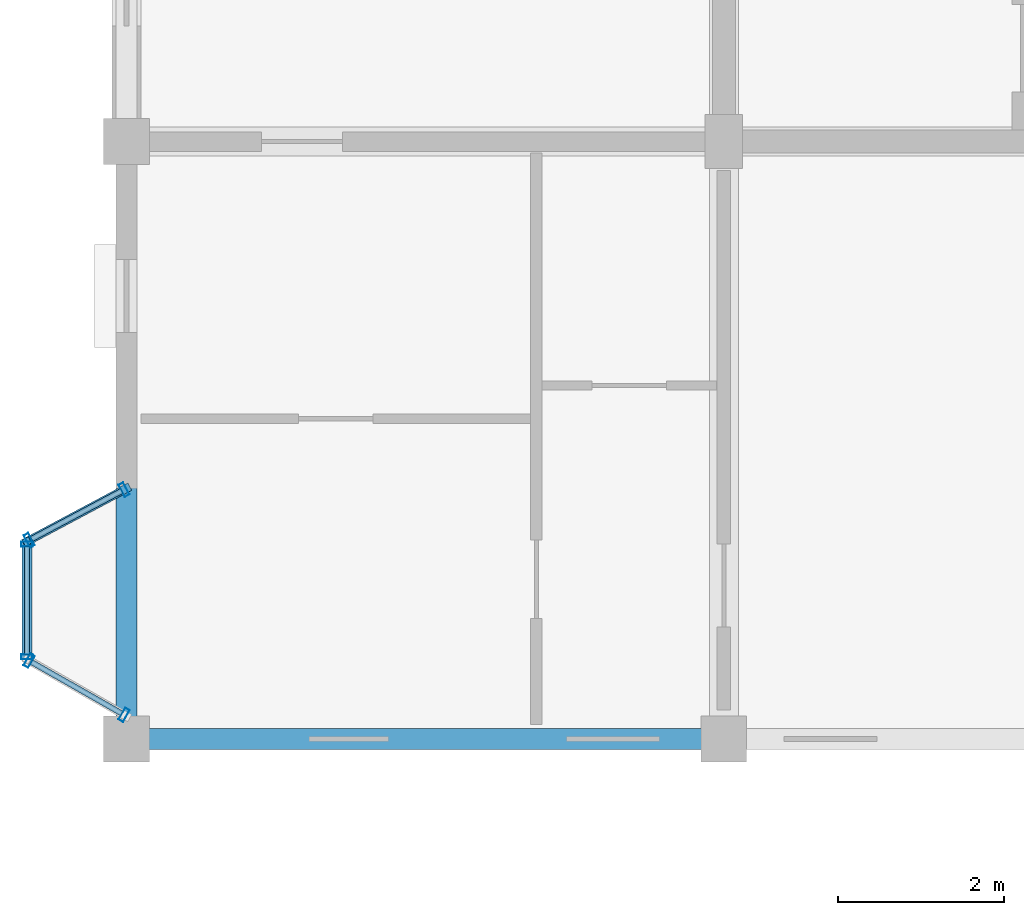
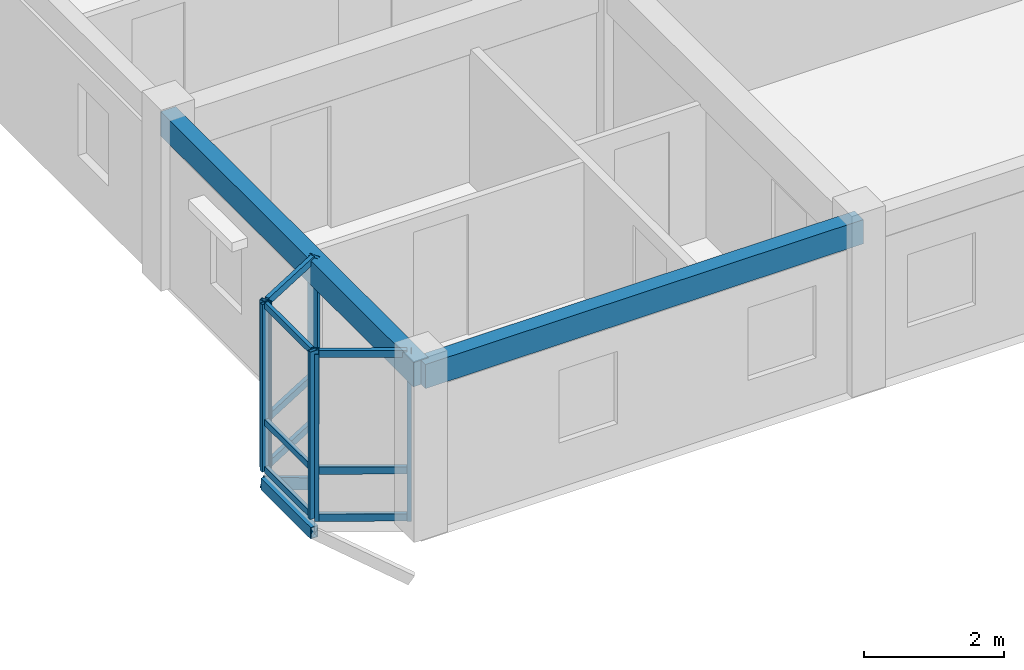
# One storey, part 13 of 77: 17 members, 2 beams, 3 elements without a shape of their own.
"""IFC4 building model written with IfcOpenShell, lengths in metres."""

from ifc_helpers import new_model, si_unit, direction, frame, origin, origin_2d, place, context, subcontext, project, spatial, rectangle, hollow_rectangle, extrude, material, layer, layer_set, material_profile, profile_set, type_object, element, aggregate, save


model = new_model("IFC4")

# Units and contexts
model_context = context("Model", 3, precision=1e-05, world=origin(), true_north=direction((0.0, 1.0)))
body_context = subcontext(model_context, "Body", "Model", "MODEL_VIEW")
ifc_project = project(units=[si_unit("LENGTHUNIT", "METRE"), si_unit("AREAUNIT", "SQUARE_METRE"), si_unit("VOLUMEUNIT", "CUBIC_METRE"), si_unit("PLANEANGLEUNIT", "RADIAN"), si_unit("MASSUNIT", "GRAM", prefix="KILO"), si_unit("THERMODYNAMICTEMPERATUREUNIT", "KELVIN"), si_unit("POWERUNIT", "WATT")], contexts=[model_context])

# Site, building, storey
site_placement = place(None, origin())
site = spatial("IfcSite", under=ifc_project, at=site_placement, CompositionType="ELEMENT")
building_placement = place(site_placement, origin())
building = spatial("IfcBuilding", under=site, at=building_placement, Name="Tavuni Mirador Residences", CompositionType="ELEMENT")
storey_placement = place(building_placement, frame((0.0, 0.0, 17.10009765625)))
storey = spatial("IfcBuildingStorey", under=building, at=storey_placement, Name="L05", CompositionType="ELEMENT", Elevation=17.10009765625)

# Beams
ifc_material_1 = material(Name="Precast concrete C40/50", Category="concrete")
ifc_material_profile_1 = material_profile(ifc_material_1, rectangle(XDim=0.25, YDim=0.419921875, at=origin_2d()), Name="PC 250x420", Category="concrete")
ifc_profile_set_1 = profile_set([ifc_material_profile_1], Name="Precast concrete C40/50")
beam_type = type_object("IfcBeamType", Name="BT-SP420", PredefinedType="SPANDREL", material=ifc_profile_set_1)
for number, where, z_axis, x_axis, name in (
    (1, (3.60009765625, 64.800048828125, 2.699951171875), (1.0, 0.0, 0.0), (0.0, 1.0, 0.0), "BMX-BLK-B-L05-00-00"),
    (2, (3.60009765625, 64.800048828125, 2.699951171875), (0.0, 1.0, 0.0), (-1.0, 0.0, 0.0), "BMY-BLK-B-L05-00-00"),
):
    element("IfcBeam", number, at=place(storey_placement, frame(where, z_axis=z_axis, x_axis=x_axis)), inside=storey, type_object=beam_type, Name=name, PredefinedType="SPANDREL", context=body_context, shape_type="SweptSolid", body=[
        extrude(rectangle(XDim=0.25, YDim=0.419921875, at=origin_2d()), origin(), (0.0, 0.0, 1.0), 7.199951171875),
    ])

# Curtain wall, members
ifc_material_2 = material(Name="Anodised aluminium", Category="aluminium")
ifc_layer_1 = layer(ifc_material_2, 0.175048828125, Name="Anodised aluminium", Category="aluminium")
ifc_layer_set_1 = layer_set([ifc_layer_1], Name="Anodised aluminium")
curtain_wall_type_1 = type_object("IfcCurtainWallType", Name="CWT-MIR-C", PredefinedType="NOTDEFINED", material=ifc_layer_set_1)
curtain_wall_1_placement = place(storey_placement, origin())
curtain_wall_1 = element("IfcCurtainWall", 3, at=curtain_wall_1_placement, inside=storey, type_object=curtain_wall_type_1, Name="CW-MIR-B-W1-L05-MF", PredefinedType="NOTDEFINED")
ifc_material_profile_2 = material_profile(ifc_material_2, hollow_rectangle(XDim=0.06005859375, YDim=0.139892578125, WallThickness=0.00390625, at=origin_2d()), Name="ALU 60x140x4.0", Category="aluminium")
ifc_profile_set_2 = profile_set([ifc_material_profile_2], Name="Anodised aluminium")
member_type_1 = type_object("IfcMemberType", Name="CWM-140", PredefinedType="MULLION", material=ifc_profile_set_2)
member_1_placement = place(storey_placement, frame((2.39990234375, 67.14990234375, 0.0), z_axis=(0.0, 0.0, 1.0), x_axis=(0.0, -1.0, 0.0)))
member_1 = element("IfcMember", 4, at=member_1_placement, type_object=member_type_1, Name="CW-03 mullion 1", PredefinedType="MULLION", context=body_context, shape_type="SweptSolid", body=[
    extrude(hollow_rectangle(XDim=0.06005859375, YDim=0.139892578125, WallThickness=0.00390625, at=origin_2d()), origin(), (0.0, 0.0, 1.0), 2.909912109375),
])
member_2_placement = place(storey_placement, frame((2.39990234375, 65.7900390625, 0.0), z_axis=(0.0, 0.0, 1.0), x_axis=(0.0, -1.0, 0.0)))
member_2 = element("IfcMember", 5, at=member_2_placement, type_object=member_type_1, Name="CW-03 mullion 2", PredefinedType="MULLION", context=body_context, shape_type="SweptSolid", body=[
    extrude(hollow_rectangle(XDim=0.06005859375, YDim=0.139892578125, WallThickness=0.00390625, at=origin_2d()), origin(), (0.0, 0.0, 1.0), 2.909912109375),
])

ifc_layer_2 = layer(ifc_material_2, 0.14990234375, Name="Anodised aluminium", Category="aluminium")
ifc_layer_set_2 = layer_set([ifc_layer_2], Name="Anodised aluminium")
curtain_wall_type_2 = type_object("IfcCurtainWallType", Name="CWT-MIR-B", PredefinedType="NOTDEFINED", material=ifc_layer_set_2)
curtain_wall_2_placement = place(storey_placement, origin())
curtain_wall_2 = element("IfcCurtainWall", 6, at=curtain_wall_2_placement, inside=storey, type_object=curtain_wall_type_2, Name="CW-MIR-B-W1-L05-M1", PredefinedType="NOTDEFINED")
ifc_material_profile_3 = material_profile(ifc_material_2, hollow_rectangle(XDim=0.06494140625, YDim=0.1650390625, WallThickness=0.00439453125, at=origin_2d()), Name="ALU 65x165x4.5", Category="aluminium")
ifc_profile_set_3 = profile_set([ifc_material_profile_3], Name="Anodised aluminium")
member_type_2 = type_object("IfcMemberType", Name="CWM-165", PredefinedType="MULLION", material=ifc_profile_set_3)
member_3_placement = place(storey_placement, frame((3.5712890625, 67.8046875, 0.0), z_axis=(0.0, 0.0, 1.0), x_axis=(-0.882352941175, -0.470588235296, 0.0)))
member_3 = element("IfcMember", 7, at=member_3_placement, type_object=member_type_2, Name="CW-02 mullion 1", PredefinedType="MULLION", context=body_context, shape_type="SweptSolid", body=[
    extrude(hollow_rectangle(XDim=0.06494140625, YDim=0.1650390625, WallThickness=0.00439453125, at=origin_2d()), origin(), (0.0, 0.0, 1.0), 2.909912109375),
])
member_4_placement = place(storey_placement, frame((2.4287109375, 67.1953125, 0.0), z_axis=(0.0, 0.0, 1.0), x_axis=(-0.882352941175, -0.470588235296, 0.0)))
member_4 = element("IfcMember", 8, at=member_4_placement, type_object=member_type_2, Name="CW-02 mullion 2", PredefinedType="MULLION", context=body_context, shape_type="SweptSolid", body=[
    extrude(hollow_rectangle(XDim=0.06494140625, YDim=0.1650390625, WallThickness=0.00439453125, at=origin_2d()), origin(), (0.0, 0.0, 1.0), 2.909912109375),
])

ifc_layer_3 = layer(ifc_material_2, 0.159912109375, Name="Anodised aluminium", Category="aluminium")
ifc_layer_set_3 = layer_set([ifc_layer_3], Name="Anodised aluminium")
curtain_wall_type_3 = type_object("IfcCurtainWallType", Name="CWT-MIR-D", PredefinedType="NOTDEFINED", material=ifc_layer_set_3)
curtain_wall_3_placement = place(storey_placement, origin())
curtain_wall_3 = element("IfcCurtainWall", 9, at=curtain_wall_3_placement, inside=storey, type_object=curtain_wall_type_3, Name="CW-MIR-B-W1-L05-M2", PredefinedType="NOTDEFINED")
member_5_placement = place(storey_placement, frame((2.42822265625, 65.743896484375, 0.0), z_axis=(0.0, 0.0, 1.0), x_axis=(0.868465738194, -0.495749192217, 0.0)))
member_5 = element("IfcMember", 10, at=member_5_placement, type_object=member_type_2, Name="CW-04 mullion 1", PredefinedType="MULLION", context=body_context, shape_type="SweptSolid", body=[
    extrude(hollow_rectangle(XDim=0.06494140625, YDim=0.1650390625, WallThickness=0.00439453125, at=origin_2d()), origin(), (0.0, 0.0, 1.0), 2.909912109375),
])
member_6_placement = place(storey_placement, frame((3.57177734375, 65.091064453125, 0.0), z_axis=(0.0, 0.0, 1.0), x_axis=(0.868465738194, -0.495749192217, 0.0)))
member_6 = element("IfcMember", 11, at=member_6_placement, type_object=member_type_2, Name="CW-04 mullion 2", PredefinedType="MULLION", context=body_context, shape_type="SweptSolid", body=[
    extrude(hollow_rectangle(XDim=0.06494140625, YDim=0.1650390625, WallThickness=0.00439453125, at=origin_2d()), origin(), (0.0, 0.0, 1.0), 2.909912109375),
])

# Member
ifc_material_profile_4 = material_profile(ifc_material_2, hollow_rectangle(XDim=0.06005859375, YDim=0.110107421875, WallThickness=0.00390625, at=origin_2d()), Name="ALU 60x110x4.0", Category="aluminium")
ifc_profile_set_4 = profile_set([ifc_material_profile_4], Name="Anodised aluminium")
member_type_3 = type_object("IfcMemberType", Name="CWT-110", PredefinedType="USERDEFINED", material=ifc_profile_set_4)
member_7_placement = place(storey_placement, frame((2.39990234375, 67.1201171875, 0.02978515625), z_axis=(0.0, -1.0, 0.0), x_axis=(1.0, 0.0, 0.0)))
member_7 = element("IfcMember", 12, at=member_7_placement, type_object=member_type_3, Name="CW-03 transom 1.1", ObjectType="TRANSOM", PredefinedType="USERDEFINED", context=body_context, shape_type="SweptSolid", body=[
    extrude(hollow_rectangle(XDim=0.06005859375, YDim=0.110107421875, WallThickness=0.00390625, at=origin_2d()), origin(), (0.0, 0.0, 1.0), 1.300048828125),
])

member_8_placement = place(storey_placement, frame((2.39990234375, 67.1201171875, 0.849853515625), z_axis=(0.0, -1.0, 0.0), x_axis=(1.0, 0.0, 0.0)))
member_8 = element("IfcMember", 13, at=member_8_placement, type_object=member_type_3, Name="CW-03 transom 1.2", ObjectType="TRANSOM", PredefinedType="USERDEFINED", context=body_context, shape_type="SweptSolid", body=[
    extrude(hollow_rectangle(XDim=0.06005859375, YDim=0.110107421875, WallThickness=0.00390625, at=origin_2d()), origin(), (0.0, 0.0, 1.0), 1.300048828125),
])

member_9_placement = place(storey_placement, frame((2.39990234375, 67.1201171875, 2.8798828125), z_axis=(0.0, -1.0, 0.0), x_axis=(1.0, 0.0, 0.0)))
member_9 = element("IfcMember", 14, at=member_9_placement, type_object=member_type_3, Name="CW-03 transom 1.3", ObjectType="TRANSOM", PredefinedType="USERDEFINED", context=body_context, shape_type="SweptSolid", body=[
    extrude(hollow_rectangle(XDim=0.06005859375, YDim=0.110107421875, WallThickness=0.00390625, at=origin_2d()), origin(), (0.0, 0.0, 1.0), 1.300048828125),
])

aggregate(curtain_wall_1, [member_1, member_2, member_7, member_8, member_9])

ifc_material_profile_5 = material_profile(ifc_material_2, hollow_rectangle(XDim=0.06494140625, YDim=0.125, WallThickness=0.00439453125, at=origin_2d()), Name="ALU 65x125x4.5", Category="aluminium")
ifc_profile_set_5 = profile_set([ifc_material_profile_5], Name="Anodised aluminium")
member_type_4 = type_object("IfcMemberType", Name="CWT-125", PredefinedType="USERDEFINED", material=ifc_profile_set_5)
member_10_placement = place(storey_placement, frame((3.542724609375, 67.789306640625, 0.032470703125), z_axis=(-0.882451819392, -0.470402791714, 0.0), x_axis=(0.470402791714, -0.882451819392, 0.0)))
member_10 = element("IfcMember", 15, at=member_10_placement, type_object=member_type_4, Name="CW-02 transom 1.1", ObjectType="TRANSOM", PredefinedType="USERDEFINED", context=body_context, shape_type="SweptSolid", body=[
    extrude(hollow_rectangle(XDim=0.06494140625, YDim=0.125, WallThickness=0.00439453125, at=origin_2d()), origin(), (0.0, 0.0, 1.0), 1.22998046875),
])

member_11_placement = place(storey_placement, frame((3.542724609375, 67.789306640625, 0.849853515625), z_axis=(-0.882451819392, -0.470402791714, 0.0), x_axis=(0.470402791714, -0.882451819392, 0.0)))
member_11 = element("IfcMember", 16, at=member_11_placement, type_object=member_type_4, Name="CW-02 transom 1.2", ObjectType="TRANSOM", PredefinedType="USERDEFINED", context=body_context, shape_type="SweptSolid", body=[
    extrude(hollow_rectangle(XDim=0.06494140625, YDim=0.125, WallThickness=0.00439453125, at=origin_2d()), origin(), (0.0, 0.0, 1.0), 1.22998046875),
])

member_12_placement = place(storey_placement, frame((3.542724609375, 67.789306640625, 2.87744140625), z_axis=(-0.882451819392, -0.470402791714, 0.0), x_axis=(0.470402791714, -0.882451819392, 0.0)))
member_12 = element("IfcMember", 17, at=member_12_placement, type_object=member_type_4, Name="CW-02 transom 1.3", ObjectType="TRANSOM", PredefinedType="USERDEFINED", context=body_context, shape_type="SweptSolid", body=[
    extrude(hollow_rectangle(XDim=0.06494140625, YDim=0.125, WallThickness=0.00439453125, at=origin_2d()), origin(), (0.0, 0.0, 1.0), 1.22998046875),
])

aggregate(curtain_wall_2, [member_3, member_4, member_10, member_11, member_12])

member_13_placement = place(storey_placement, frame((2.45654296875, 65.727783203125, 0.032470703125), z_axis=(0.868411144788, -0.495844818071, 0.0), x_axis=(0.495844818071, 0.868411144788, 0.0)))
member_13 = element("IfcMember", 18, at=member_13_placement, type_object=member_type_4, Name="CW-04 transom 1.1", ObjectType="TRANSOM", PredefinedType="USERDEFINED", context=body_context, shape_type="SweptSolid", body=[
    extrude(hollow_rectangle(XDim=0.06494140625, YDim=0.125, WallThickness=0.00439453125, at=origin_2d()), origin(), (0.0, 0.0, 1.0), 1.251708984375),
])

member_14_placement = place(storey_placement, frame((2.45654296875, 65.727783203125, 0.849853515625), z_axis=(0.868411144788, -0.495844818071, 0.0), x_axis=(0.495844818071, 0.868411144788, 0.0)))
member_14 = element("IfcMember", 19, at=member_14_placement, type_object=member_type_4, Name="CW-04 transom 1.2", ObjectType="TRANSOM", PredefinedType="USERDEFINED", context=body_context, shape_type="SweptSolid", body=[
    extrude(hollow_rectangle(XDim=0.06494140625, YDim=0.125, WallThickness=0.00439453125, at=origin_2d()), origin(), (0.0, 0.0, 1.0), 1.251708984375),
])

member_15_placement = place(storey_placement, frame((2.45654296875, 65.727783203125, 2.87744140625), z_axis=(0.868411144788, -0.495844818071, 0.0), x_axis=(0.495844818071, 0.868411144788, 0.0)))
member_15 = element("IfcMember", 20, at=member_15_placement, type_object=member_type_4, Name="CW-04 transom 1.3", ObjectType="TRANSOM", PredefinedType="USERDEFINED", context=body_context, shape_type="SweptSolid", body=[
    extrude(hollow_rectangle(XDim=0.06494140625, YDim=0.125, WallThickness=0.00439453125, at=origin_2d()), origin(), (0.0, 0.0, 1.0), 1.251708984375),
])

aggregate(curtain_wall_3, [member_5, member_6, member_13, member_14, member_15])

# Members
ifc_material_3 = material(Name="Structural steel S355", Category="steel")
ifc_material_profile_6 = material_profile(ifc_material_3, hollow_rectangle(XDim=0.10009765625, YDim=0.179931640625, WallThickness=0.008056640625, at=origin_2d()), Name="RHS 180x100x8.0", Category="steel")
ifc_profile_set_6 = profile_set([ifc_material_profile_6], Name="Structural steel S355")
member_type_5 = type_object("IfcMemberType", Name="MT-BR-RHS180", PredefinedType="BRACE", material=ifc_profile_set_6)
member_16_placement = place(storey_placement, frame((3.60009765625, 67.820068359375, -1.050048828125), z_axis=(-0.758094559112, -0.404337659478, 0.511667564511), x_axis=(0.470606866739, -0.882343004153, 0.0)))
element("IfcMember", 21, at=member_16_placement, inside=storey, type_object=member_type_5, Name="MBRK-MIR-B-W1-L05-2", PredefinedType="BRACE", context=body_context, shape_type="SweptSolid", body=[
    extrude(hollow_rectangle(XDim=0.10009765625, YDim=0.179931640625, WallThickness=0.008056640625, at=origin_2d()), origin(), (0.0, 0.0, 1.0), 1.583251953125),
])
ifc_material_profile_7 = material_profile(ifc_material_3, hollow_rectangle(XDim=0.1201171875, YDim=0.199951171875, WallThickness=0.010009765625, at=origin_2d()), Name="RHS 200x120x10.0", Category="steel")
ifc_profile_set_7 = profile_set([ifc_material_profile_7], Name="Structural steel S355")
member_type_6 = type_object("IfcMemberType", Name="MT-ST-RHS200", PredefinedType="STRUT", material=ifc_profile_set_7)
member_17_placement = place(storey_placement, frame((2.39990234375, 65.760009765625, -0.239990234375), z_axis=(0.0, 1.0, 0.0), x_axis=(-1.0, 0.0, 0.0)))
element("IfcMember", 22, at=member_17_placement, inside=storey, type_object=member_type_6, Name="MRIM-MIR-B-W1-L05", PredefinedType="STRUT", context=body_context, shape_type="SweptSolid", body=[
    extrude(hollow_rectangle(XDim=0.1201171875, YDim=0.199951171875, WallThickness=0.010009765625, at=origin_2d()), origin(), (0.0, 0.0, 1.0), 1.419921875),
])

save(model, "model.ifc")
